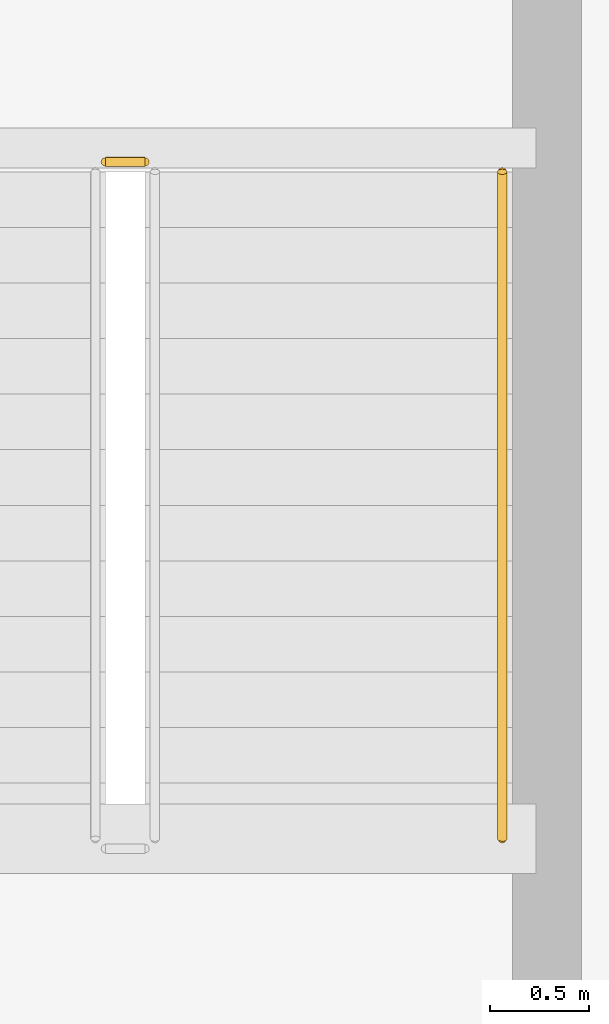
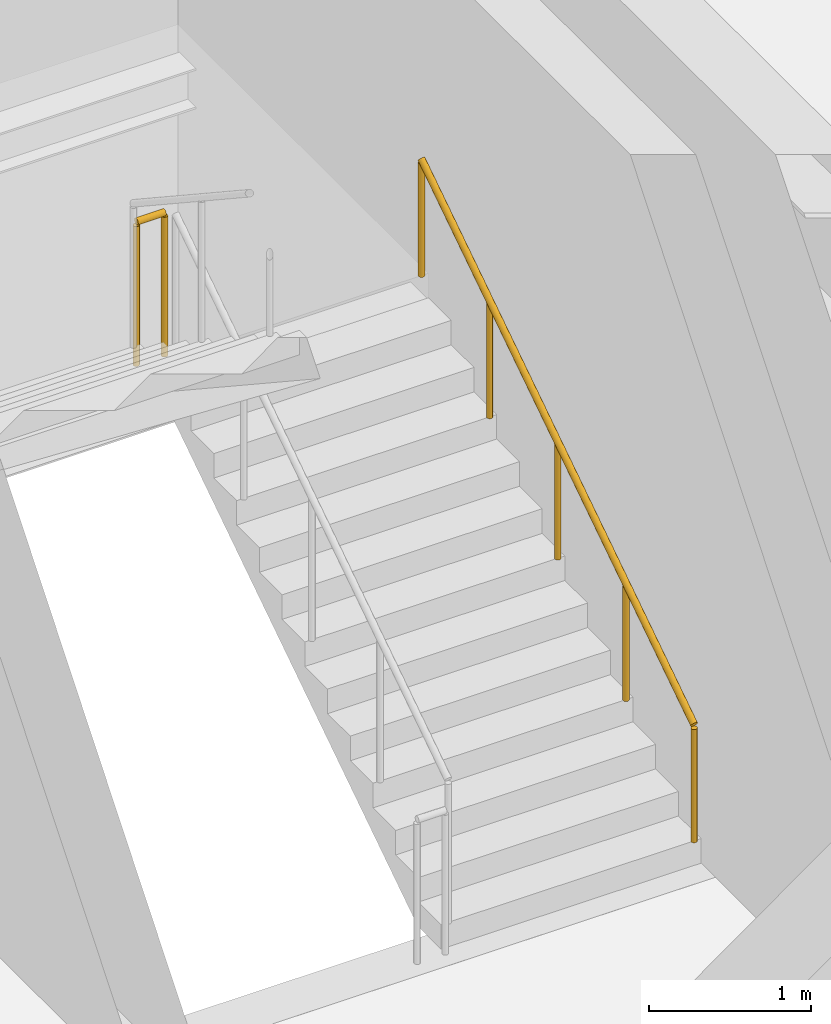
# One storey, part 70 of 80: 2 railings.
"""IFC4 building model written with IfcOpenShell, lengths in metres."""

from ifc_helpers import new_model, si_unit, direction, frame, origin, origin_2d, place, context, subcontext, project, spatial, circle, extrude, material, type_object, element, save


model = new_model("IFC4")

# Units and contexts
model_context = context("Model", 3, precision=1e-05, world=origin(), true_north=direction((0.0, 1.0)))
body_context = subcontext(model_context, "Body", "Model", "MODEL_VIEW")
ifc_project = project(units=[si_unit("LENGTHUNIT", "METRE"), si_unit("AREAUNIT", "SQUARE_METRE"), si_unit("VOLUMEUNIT", "CUBIC_METRE"), si_unit("PLANEANGLEUNIT", "RADIAN"), si_unit("MASSUNIT", "GRAM", prefix="KILO")], contexts=[model_context])

# Site, building, storey
site_placement = place(None, origin())
site = spatial("IfcSite", under=ifc_project, at=site_placement, CompositionType="ELEMENT")
building_placement = place(site_placement, origin())
building = spatial("IfcBuilding", under=site, at=building_placement, Name="Vaelkrest Opera House", CompositionType="ELEMENT")
storey_placement = place(building_placement, frame((0.0, 0.0, 15.0)))
storey = spatial("IfcBuildingStorey", under=building, at=storey_placement, Name="L03", CompositionType="ELEMENT", Elevation=15.0)

# Railings
ifc_material = material(Name="Dark bronze anodized aluminium", Category="aluminium")
railing_type_1 = type_object("IfcRailingType", Name="GR02", PredefinedType="GUARDRAIL", material=ifc_material)
railing_1_placement = place(storey_placement, frame((-20.85009765625, -22.239990234375, 2.39990234375)))
element("IfcRailing", 1, at=railing_1_placement, inside=storey, type_object=railing_type_1, Name="L03 ST01 stair guard 2", PredefinedType="GUARDRAIL", context=body_context, shape_type="SweptSolid", body=[
    extrude(circle(Radius=0.02392578125, at=origin_2d()), frame((0.0, 0.0, 1.076171875), z_axis=(-1.0, 0.0, 0.0), x_axis=(0.0, -1.0, 0.0)), (0.0, 0.0, 1.0), 0.199951171875),
    extrude(circle(Radius=0.02099609375, at=origin_2d()), origin(), (0.0, 0.0, 1.0), 1.052001953125),
    extrude(circle(Radius=0.02099609375, at=origin_2d()), frame((-0.199951171875, 0.0, 0.0)), (0.0, 0.0, 1.0), 1.052001953125),
])
railing_type_2 = type_object("IfcRailingType", Name="HR02", PredefinedType="HANDRAIL", material=ifc_material)
railing_2_placement = place(storey_placement, frame((-19.050048828125, -25.64990234375, 0.1845703125)))
element("IfcRailing", 2, at=railing_2_placement, inside=storey, type_object=railing_type_2, Name="L03 ST01 stair handrail 1", PredefinedType="HANDRAIL", context=body_context, shape_type="SweptSolid", body=[
    extrude(circle(Radius=0.02392578125, at=origin_2d()), frame((0.0, 0.0, 0.8759765625), z_axis=(0.0, 0.834858096282, 0.550465220583), x_axis=(-1.0, 0.0, 0.0)), (0.0, 0.0, 1.0), 4.0244140625),
    extrude(circle(Radius=0.02099609375, at=origin_2d()), origin(), (0.0, 0.0, 1.0), 0.851806640625),
    extrude(circle(Radius=0.02099609375, at=origin_2d()), frame((0.0, 0.83984375, 0.5537109375)), (0.0, 0.0, 1.0), 0.851806640625),
    extrude(circle(Radius=0.02099609375, at=origin_2d()), frame((0.0, 1.679931640625, 1.107666015625)), (0.0, 0.0, 1.0), 0.851806640625),
    extrude(circle(Radius=0.02099609375, at=origin_2d()), frame((0.0, 2.52001953125, 1.66162109375)), (0.0, 0.0, 1.0), 0.851806640625),
    extrude(circle(Radius=0.02099609375, at=origin_2d()), frame((0.0, 3.35986328125, 2.21533203125)), (0.0, 0.0, 1.0), 0.851806640625),
])

save(model, "model.ifc")
